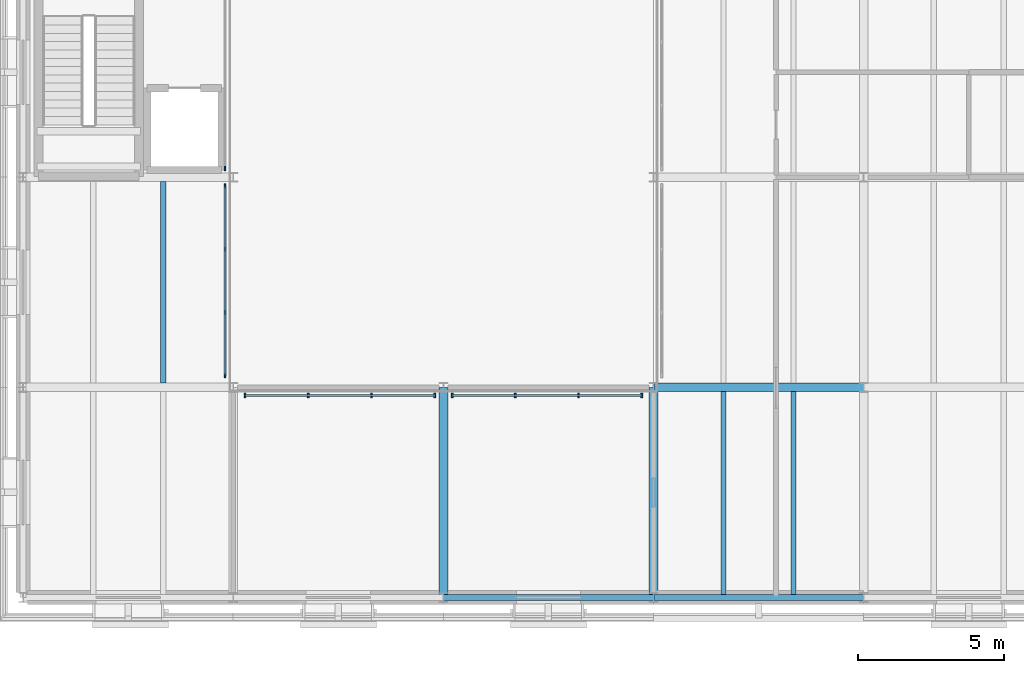
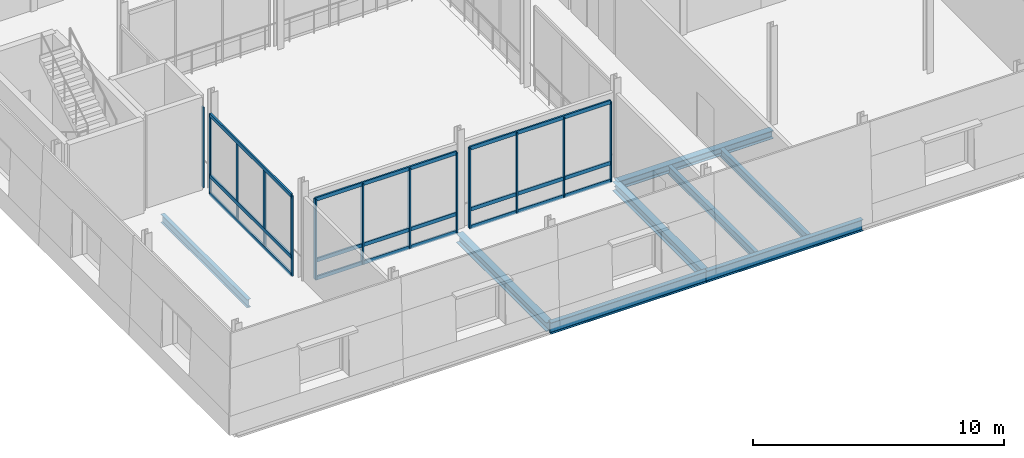
# One storey, part 38 of 121: 22 members, 8 beams, 4 elements without a shape of their own.
"""IFC4 building model written with IfcOpenShell, lengths in metres."""

from ifc_helpers import new_model, si_unit, direction, frame, origin, origin_2d, place, context, subcontext, project, spatial, rectangle, i_section, extrude, material, layer, layer_set, material_profile, profile_set, type_object, element, aggregate, save


model = new_model("IFC4")

# Units and contexts
model_context = context("Model", 3, precision=1e-05, world=origin(), true_north=direction((0.0, 1.0)))
body_context = subcontext(model_context, "Body", "Model", "MODEL_VIEW")
ifc_project = project(units=[si_unit("LENGTHUNIT", "METRE"), si_unit("AREAUNIT", "SQUARE_METRE"), si_unit("VOLUMEUNIT", "CUBIC_METRE"), si_unit("PLANEANGLEUNIT", "RADIAN"), si_unit("MASSUNIT", "GRAM", prefix="KILO")], contexts=[model_context])

# Site, building, storey
site_placement = place(None, origin())
site = spatial("IfcSite", under=ifc_project, at=site_placement, CompositionType="ELEMENT")
building_placement = place(site_placement, origin())
building = spatial("IfcBuilding", under=site, at=building_placement, Name="Narikvali Park Central Library", CompositionType="ELEMENT")
storey_placement = place(building_placement, frame((0.0, 0.0, 5.39990234375)))
storey = spatial("IfcBuildingStorey", under=building, at=storey_placement, Name="L01", CompositionType="ELEMENT", Elevation=5.39990234375)

# Beams
ifc_material_1 = material(Name="Steel S355", Category="steel")
ifc_material_profile_1 = material_profile(ifc_material_1, i_section(OverallWidth=0.179931640625, OverallDepth=0.39990234375, WebThickness=0.008544921875, FlangeThickness=0.013427734375, FilletRadius=0.02099609375, at=origin_2d()), Name="IPE 400")
ifc_profile_set_1 = profile_set([ifc_material_profile_1], Name="Steel S355")
beam_type_1 = type_object("IfcBeamType", Name="Composite Floor Joist IPE400", PredefinedType="JOIST", material=ifc_profile_set_1)
beam_1_placement = place(storey_placement, frame((127.199951171875, 7.35009765625, -0.47998046875), z_axis=(0.0, 1.0, 0.0), x_axis=(-1.0, 0.0, 0.0)))
element("IfcBeam", 1, at=beam_1_placement, inside=storey, type_object=beam_type_1, Name="V6 L01 Composite Joist 2", PredefinedType="JOIST", context=body_context, shape_type="SweptSolid", body=[
    extrude(i_section(OverallWidth=0.179931640625, OverallDepth=0.39990234375, WebThickness=0.008544921875, FlangeThickness=0.013427734375, FilletRadius=0.02099609375, at=origin_2d()), origin(), (0.0, 0.0, 1.0), 6.89990234375),
])
for number, where, z_axis, x_axis, name in (
    (2, (146.39990234375, 0.10498046875, -0.47998046875), (0.0, 1.0, 0.0), (-1.0, 0.0, 0.0), "V6 L01 Composite Joist 1"),
    (3, (148.800048828125, 0.10498046875, -0.47998046875), (0.0, 1.0, 0.0), (-1.0, 0.0, 0.0), "V6 L01 Composite Joist 2"),
):
    element("IfcBeam", number, at=place(storey_placement, frame(where, z_axis=z_axis, x_axis=x_axis)), inside=storey, type_object=beam_type_1, Name=name, PredefinedType="JOIST", context=body_context, shape_type="SweptSolid", body=[
        extrude(i_section(OverallWidth=0.179931640625, OverallDepth=0.39990234375, WebThickness=0.008544921875, FlangeThickness=0.013427734375, FilletRadius=0.02099609375, at=origin_2d()), origin(), (0.0, 0.0, 1.0), 6.945068359375),
    ])

# Curtain wall, members
ifc_material_2 = material(Name="Anodised Bronze Aluminium", Category="aluminium")
ifc_layer = layer(ifc_material_2, 0.219970703125, Name="Anodised Bronze Aluminium")
ifc_layer_set = layer_set([ifc_layer], Name="Anodised Bronze Aluminium")
curtain_wall_type = type_object("IfcCurtainWallType", Name="Atrium Tall Curtain Wall System", PredefinedType="NOTDEFINED", material=ifc_layer_set)
curtain_wall_1_placement = place(storey_placement, origin())
curtain_wall_1 = element("IfcCurtainWall", 4, at=curtain_wall_1_placement, inside=storey, type_object=curtain_wall_type, Name="Atrium Tall Curtain Wall System CW-INT-V6-L01-W1", PredefinedType="NOTDEFINED")
ifc_material_profile_2 = material_profile(ifc_material_2, rectangle(XDim=0.074951171875, YDim=0.179931640625, at=origin_2d()), Name="CW TRANSOM 75x180")
ifc_profile_set_2 = profile_set([ifc_material_profile_2], Name="Anodised Bronze Aluminium")
member_type_1 = type_object("IfcMemberType", Name="Curtain Wall Heavy Transom 75x180", PredefinedType="USERDEFINED", material=ifc_profile_set_2)
member_1_placement = place(storey_placement, frame((129.320068359375, 7.60009765625, 0.030029296875), z_axis=(0.0, 1.0, 0.0), x_axis=(-1.0, 0.0, 0.0)))
member_1 = element("IfcMember", 5, at=member_1_placement, type_object=member_type_1, Name="CW-INT-V6-L01-W1 Transom 00", ObjectType="TRANSOM", PredefinedType="USERDEFINED", context=body_context, shape_type="SweptSolid", body=[
    extrude(rectangle(XDim=0.074951171875, YDim=0.179931640625, at=origin_2d()), origin(), (0.0, 0.0, 1.0), 6.5),
])
member_2_placement = place(storey_placement, frame((129.320068359375, 7.60009765625, 0.900146484375), z_axis=(0.0, 1.0, 0.0), x_axis=(-1.0, 0.0, 0.0)))
member_2 = element("IfcMember", 6, at=member_2_placement, type_object=member_type_1, Name="CW-INT-V6-L01-W1 Transom 01", ObjectType="TRANSOM", PredefinedType="USERDEFINED", context=body_context, shape_type="SweptSolid", body=[
    extrude(rectangle(XDim=0.074951171875, YDim=0.179931640625, at=origin_2d()), origin(), (0.0, 0.0, 1.0), 6.5),
])
member_3_placement = place(storey_placement, frame((129.320068359375, 7.60009765625, 3.8701171875), z_axis=(0.0, 1.0, 0.0), x_axis=(-1.0, 0.0, 0.0)))
member_3 = element("IfcMember", 7, at=member_3_placement, type_object=member_type_1, Name="CW-INT-V6-L01-W1 Transom 02", ObjectType="TRANSOM", PredefinedType="USERDEFINED", context=body_context, shape_type="SweptSolid", body=[
    extrude(rectangle(XDim=0.074951171875, YDim=0.179931640625, at=origin_2d()), origin(), (0.0, 0.0, 1.0), 6.5),
])

curtain_wall_2_placement = place(storey_placement, origin())
curtain_wall_2 = element("IfcCurtainWall", 8, at=curtain_wall_2_placement, inside=storey, type_object=curtain_wall_type, Name="Atrium Tall Curtain Wall System CW-INT-V6-L01-S1", PredefinedType="NOTDEFINED")
member_4_placement = place(storey_placement, frame((130.0, 6.919921875, 0.030029296875), z_axis=(1.0, 0.0, 0.0), x_axis=(0.0, 1.0, 0.0)))
member_4 = element("IfcMember", 9, at=member_4_placement, type_object=member_type_1, Name="CW-INT-V6-L01-S1 Transom 00", ObjectType="TRANSOM", PredefinedType="USERDEFINED", context=body_context, shape_type="SweptSolid", body=[
    extrude(rectangle(XDim=0.074951171875, YDim=0.179931640625, at=origin_2d()), origin(), (0.0, 0.0, 1.0), 6.5),
])
member_5_placement = place(storey_placement, frame((130.0, 6.919921875, 0.900146484375), z_axis=(1.0, 0.0, 0.0), x_axis=(0.0, 1.0, 0.0)))
member_5 = element("IfcMember", 10, at=member_5_placement, type_object=member_type_1, Name="CW-INT-V6-L01-S1 Transom 01", ObjectType="TRANSOM", PredefinedType="USERDEFINED", context=body_context, shape_type="SweptSolid", body=[
    extrude(rectangle(XDim=0.074951171875, YDim=0.179931640625, at=origin_2d()), origin(), (0.0, 0.0, 1.0), 6.5),
])
member_6_placement = place(storey_placement, frame((130.0, 6.919921875, 3.8701171875), z_axis=(1.0, 0.0, 0.0), x_axis=(0.0, 1.0, 0.0)))
member_6 = element("IfcMember", 11, at=member_6_placement, type_object=member_type_1, Name="CW-INT-V6-L01-S1 Transom 02", ObjectType="TRANSOM", PredefinedType="USERDEFINED", context=body_context, shape_type="SweptSolid", body=[
    extrude(rectangle(XDim=0.074951171875, YDim=0.179931640625, at=origin_2d()), origin(), (0.0, 0.0, 1.0), 6.5),
])

curtain_wall_3_placement = place(storey_placement, origin())
curtain_wall_3 = element("IfcCurtainWall", 12, at=curtain_wall_3_placement, inside=storey, type_object=curtain_wall_type, Name="Atrium Tall Curtain Wall System CW-INT-V6-L01-S2", PredefinedType="NOTDEFINED")
member_7_placement = place(storey_placement, frame((137.10009765625, 6.919921875, 0.030029296875), z_axis=(1.0, 0.0, 0.0), x_axis=(0.0, 1.0, 0.0)))
member_7 = element("IfcMember", 13, at=member_7_placement, type_object=member_type_1, Name="CW-INT-V6-L01-S2 Transom 00", ObjectType="TRANSOM", PredefinedType="USERDEFINED", context=body_context, shape_type="SweptSolid", body=[
    extrude(rectangle(XDim=0.074951171875, YDim=0.179931640625, at=origin_2d()), origin(), (0.0, 0.0, 1.0), 6.5),
])
member_8_placement = place(storey_placement, frame((137.10009765625, 6.919921875, 0.900146484375), z_axis=(1.0, 0.0, 0.0), x_axis=(0.0, 1.0, 0.0)))
member_8 = element("IfcMember", 14, at=member_8_placement, type_object=member_type_1, Name="CW-INT-V6-L01-S2 Transom 01", ObjectType="TRANSOM", PredefinedType="USERDEFINED", context=body_context, shape_type="SweptSolid", body=[
    extrude(rectangle(XDim=0.074951171875, YDim=0.179931640625, at=origin_2d()), origin(), (0.0, 0.0, 1.0), 6.5),
])
member_9_placement = place(storey_placement, frame((137.10009765625, 6.919921875, 3.8701171875), z_axis=(1.0, 0.0, 0.0), x_axis=(0.0, 1.0, 0.0)))
member_9 = element("IfcMember", 15, at=member_9_placement, type_object=member_type_1, Name="CW-INT-V6-L01-S2 Transom 02", ObjectType="TRANSOM", PredefinedType="USERDEFINED", context=body_context, shape_type="SweptSolid", body=[
    extrude(rectangle(XDim=0.074951171875, YDim=0.179931640625, at=origin_2d()), origin(), (0.0, 0.0, 1.0), 6.5),
])

# Member
ifc_material_profile_3 = material_profile(ifc_material_2, rectangle(XDim=0.06005859375, YDim=0.14990234375, at=origin_2d()), Name="CW MULLION 60x150")
ifc_profile_set_3 = profile_set([ifc_material_profile_3], Name="Anodised Bronze Aluminium")
member_type_2 = type_object("IfcMemberType", Name="Curtain Wall Mullion 60x150", PredefinedType="MULLION", material=ifc_profile_set_3)
member_10_placement = place(storey_placement, frame((129.320068359375, 7.60009765625, -0.010009765625), z_axis=(0.0, 0.0, 1.0), x_axis=(1.0, 0.0, 0.0)))
member_10 = element("IfcMember", 16, at=member_10_placement, type_object=member_type_2, Name="CW-INT-V6-L01-W1 Mullion 00", PredefinedType="MULLION", context=body_context, shape_type="SweptSolid", body=[
    extrude(rectangle(XDim=0.06005859375, YDim=0.14990234375, at=origin_2d()), origin(), (0.0, 0.0, 1.0), 3.91015625),
])

member_11_placement = place(storey_placement, frame((129.320068359375, 9.7666015625, -0.010009765625), z_axis=(0.0, 0.0, 1.0), x_axis=(1.0, 0.0, 0.0)))
member_11 = element("IfcMember", 17, at=member_11_placement, type_object=member_type_2, Name="CW-INT-V6-L01-W1 Mullion 01", PredefinedType="MULLION", context=body_context, shape_type="SweptSolid", body=[
    extrude(rectangle(XDim=0.06005859375, YDim=0.14990234375, at=origin_2d()), origin(), (0.0, 0.0, 1.0), 3.91015625),
])

member_12_placement = place(storey_placement, frame((129.320068359375, 11.933349609375, -0.010009765625), z_axis=(0.0, 0.0, 1.0), x_axis=(1.0, 0.0, 0.0)))
member_12 = element("IfcMember", 18, at=member_12_placement, type_object=member_type_2, Name="CW-INT-V6-L01-W1 Mullion 02", PredefinedType="MULLION", context=body_context, shape_type="SweptSolid", body=[
    extrude(rectangle(XDim=0.06005859375, YDim=0.14990234375, at=origin_2d()), origin(), (0.0, 0.0, 1.0), 3.91015625),
])

member_13_placement = place(storey_placement, frame((129.320068359375, 14.10009765625, -0.010009765625), z_axis=(0.0, 0.0, 1.0), x_axis=(1.0, 0.0, 0.0)))
member_13 = element("IfcMember", 19, at=member_13_placement, type_object=member_type_2, Name="CW-INT-V6-L01-W1 Mullion 03", PredefinedType="MULLION", context=body_context, shape_type="SweptSolid", body=[
    extrude(rectangle(XDim=0.06005859375, YDim=0.14990234375, at=origin_2d()), origin(), (0.0, 0.0, 1.0), 3.91015625),
])

aggregate(curtain_wall_1, [member_10, member_11, member_12, member_13, member_1, member_2, member_3])

# Curtain wall, member
curtain_wall_4_placement = place(storey_placement, origin())
curtain_wall_4 = element("IfcCurtainWall", 20, at=curtain_wall_4_placement, inside=storey, type_object=curtain_wall_type, Name="Atrium Tall Curtain Wall System CW-INT-V6-L01-W2", PredefinedType="NOTDEFINED")
member_14_placement = place(storey_placement, frame((129.320068359375, 14.699951171875, -0.010009765625), z_axis=(0.0, 0.0, 1.0), x_axis=(1.0, 0.0, 0.0)))
member_14 = element("IfcMember", 21, at=member_14_placement, type_object=member_type_2, Name="CW-INT-V6-L01-W2 Mullion 00", PredefinedType="MULLION", context=body_context, shape_type="SweptSolid", body=[
    extrude(rectangle(XDim=0.06005859375, YDim=0.14990234375, at=origin_2d()), origin(), (0.0, 0.0, 1.0), 3.91015625),
])
aggregate(curtain_wall_4, [member_14])

# Member
member_15_placement = place(storey_placement, frame((130.0, 6.919921875, -0.010009765625), z_axis=(0.0, 0.0, 1.0), x_axis=(1.0, 0.0, 0.0)))
member_15 = element("IfcMember", 22, at=member_15_placement, type_object=member_type_2, Name="CW-INT-V6-L01-S1 Mullion 00", PredefinedType="MULLION", context=body_context, shape_type="SweptSolid", body=[
    extrude(rectangle(XDim=0.06005859375, YDim=0.14990234375, at=origin_2d()), origin(), (0.0, 0.0, 1.0), 3.91015625),
])

member_16_placement = place(storey_placement, frame((132.166748046875, 6.919921875, -0.010009765625), z_axis=(0.0, 0.0, 1.0), x_axis=(1.0, 0.0, 0.0)))
member_16 = element("IfcMember", 23, at=member_16_placement, type_object=member_type_2, Name="CW-INT-V6-L01-S1 Mullion 01", PredefinedType="MULLION", context=body_context, shape_type="SweptSolid", body=[
    extrude(rectangle(XDim=0.06005859375, YDim=0.14990234375, at=origin_2d()), origin(), (0.0, 0.0, 1.0), 3.91015625),
])

member_17_placement = place(storey_placement, frame((134.333251953125, 6.919921875, -0.010009765625), z_axis=(0.0, 0.0, 1.0), x_axis=(1.0, 0.0, 0.0)))
member_17 = element("IfcMember", 24, at=member_17_placement, type_object=member_type_2, Name="CW-INT-V6-L01-S1 Mullion 02", PredefinedType="MULLION", context=body_context, shape_type="SweptSolid", body=[
    extrude(rectangle(XDim=0.06005859375, YDim=0.14990234375, at=origin_2d()), origin(), (0.0, 0.0, 1.0), 3.91015625),
])

member_18_placement = place(storey_placement, frame((136.5, 6.919921875, -0.010009765625), z_axis=(0.0, 0.0, 1.0), x_axis=(1.0, 0.0, 0.0)))
member_18 = element("IfcMember", 25, at=member_18_placement, type_object=member_type_2, Name="CW-INT-V6-L01-S1 Mullion 03", PredefinedType="MULLION", context=body_context, shape_type="SweptSolid", body=[
    extrude(rectangle(XDim=0.06005859375, YDim=0.14990234375, at=origin_2d()), origin(), (0.0, 0.0, 1.0), 3.91015625),
])

aggregate(curtain_wall_2, [member_15, member_16, member_17, member_18, member_4, member_5, member_6])

member_19_placement = place(storey_placement, frame((137.10009765625, 6.919921875, -0.010009765625), z_axis=(0.0, 0.0, 1.0), x_axis=(1.0, 0.0, 0.0)))
member_19 = element("IfcMember", 26, at=member_19_placement, type_object=member_type_2, Name="CW-INT-V6-L01-S2 Mullion 00", PredefinedType="MULLION", context=body_context, shape_type="SweptSolid", body=[
    extrude(rectangle(XDim=0.06005859375, YDim=0.14990234375, at=origin_2d()), origin(), (0.0, 0.0, 1.0), 3.91015625),
])

member_20_placement = place(storey_placement, frame((139.2666015625, 6.919921875, -0.010009765625), z_axis=(0.0, 0.0, 1.0), x_axis=(1.0, 0.0, 0.0)))
member_20 = element("IfcMember", 27, at=member_20_placement, type_object=member_type_2, Name="CW-INT-V6-L01-S2 Mullion 01", PredefinedType="MULLION", context=body_context, shape_type="SweptSolid", body=[
    extrude(rectangle(XDim=0.06005859375, YDim=0.14990234375, at=origin_2d()), origin(), (0.0, 0.0, 1.0), 3.91015625),
])

member_21_placement = place(storey_placement, frame((141.433349609375, 6.919921875, -0.010009765625), z_axis=(0.0, 0.0, 1.0), x_axis=(1.0, 0.0, 0.0)))
member_21 = element("IfcMember", 28, at=member_21_placement, type_object=member_type_2, Name="CW-INT-V6-L01-S2 Mullion 02", PredefinedType="MULLION", context=body_context, shape_type="SweptSolid", body=[
    extrude(rectangle(XDim=0.06005859375, YDim=0.14990234375, at=origin_2d()), origin(), (0.0, 0.0, 1.0), 3.91015625),
])

member_22_placement = place(storey_placement, frame((143.60009765625, 6.919921875, -0.010009765625), z_axis=(0.0, 0.0, 1.0), x_axis=(1.0, 0.0, 0.0)))
member_22 = element("IfcMember", 29, at=member_22_placement, type_object=member_type_2, Name="CW-INT-V6-L01-S2 Mullion 03", PredefinedType="MULLION", context=body_context, shape_type="SweptSolid", body=[
    extrude(rectangle(XDim=0.06005859375, YDim=0.14990234375, at=origin_2d()), origin(), (0.0, 0.0, 1.0), 3.91015625),
])

aggregate(curtain_wall_3, [member_19, member_20, member_21, member_22, member_7, member_8, member_9])

# Beams
ifc_material_profile_4 = material_profile(ifc_material_1, i_section(OverallWidth=0.2099609375, OverallDepth=0.550048828125, WebThickness=0.010986328125, FlangeThickness=0.01708984375, FilletRadius=0.02392578125, at=origin_2d()), Name="IPE 550")
ifc_profile_set_4 = profile_set([ifc_material_profile_4], Name="Steel S355")
beam_type_2 = type_object("IfcBeamType", Name="Perimeter Spandrel IPE550", PredefinedType="SPANDREL", material=ifc_profile_set_4)
for number, where, z_axis, x_axis, name in (
    (30, (136.80810546875, 0.0, -0.554931640625), (1.0, 0.0, 0.0), (0.0, 1.0, 0.0), "V6 L01 Girder X"),
    (31, (144.008056640625, 0.0, -0.554931640625), (1.0, 0.0, 0.0), (0.0, 1.0, 0.0), "V6 L01 Girder X"),
):
    element("IfcBeam", number, at=place(storey_placement, frame(where, z_axis=z_axis, x_axis=x_axis)), inside=storey, type_object=beam_type_2, Name=name, PredefinedType="SPANDREL", context=body_context, shape_type="SweptSolid", body=[
        extrude(i_section(OverallWidth=0.2099609375, OverallDepth=0.550048828125, WebThickness=0.010986328125, FlangeThickness=0.01708984375, FilletRadius=0.02392578125, at=origin_2d()), origin(), (0.0, 0.0, 1.0), 7.183837890625),
    ])
ifc_material_profile_5 = material_profile(ifc_material_1, i_section(OverallWidth=0.300048828125, OverallDepth=0.389892578125, WebThickness=0.010986328125, FlangeThickness=0.01904296875, FilletRadius=0.027099609375, at=origin_2d()), Name="HEA 400")
ifc_profile_set_5 = profile_set([ifc_material_profile_5], Name="Steel S355")
beam_type_3 = type_object("IfcBeamType", Name="Primary Girder HEA400", PredefinedType="BEAM", material=ifc_profile_set_5)
beam_2_placement = place(storey_placement, frame((144.008056640625, 7.199951171875, -0.474853515625), z_axis=(1.0, 0.0, 0.0), x_axis=(0.0, 1.0, 0.0)))
element("IfcBeam", 32, at=beam_2_placement, inside=storey, type_object=beam_type_3, Name="V6 L01 Girder X", PredefinedType="BEAM", context=body_context, shape_type="SweptSolid", body=[
    extrude(i_section(OverallWidth=0.300048828125, OverallDepth=0.389892578125, WebThickness=0.010986328125, FlangeThickness=0.01904296875, FilletRadius=0.027099609375, at=origin_2d()), origin(), (0.0, 0.0, 1.0), 7.183837890625),
])
ifc_material_profile_6 = material_profile(ifc_material_1, i_section(OverallWidth=0.300048828125, OverallDepth=0.43994140625, WebThickness=0.011474609375, FlangeThickness=0.02099609375, FilletRadius=0.027099609375, at=origin_2d()), Name="HEA 450")
ifc_profile_set_6 = profile_set([ifc_material_profile_6], Name="Steel S355")
beam_type_4 = type_object("IfcBeamType", Name="Primary Girder HEA450", PredefinedType="BEAM", material=ifc_profile_set_6)
for number, where, z_axis, x_axis, name in (
    (33, (136.800048828125, 0.008056640625, -0.5), (0.0, 1.0, 0.0), (-1.0, 0.0, 0.0), "V6 L01 Girder Y"),
    (34, (144.0, 0.008056640625, -0.5), (0.0, 1.0, 0.0), (-1.0, 0.0, 0.0), "V6 L01 Girder Y"),
):
    element("IfcBeam", number, at=place(storey_placement, frame(where, z_axis=z_axis, x_axis=x_axis)), inside=storey, type_object=beam_type_4, Name=name, PredefinedType="BEAM", context=body_context, shape_type="SweptSolid", body=[
        extrude(i_section(OverallWidth=0.300048828125, OverallDepth=0.43994140625, WebThickness=0.011474609375, FlangeThickness=0.02099609375, FilletRadius=0.027099609375, at=origin_2d()), origin(), (0.0, 0.0, 1.0), 7.183837890625),
    ])

save(model, "model.ifc")
